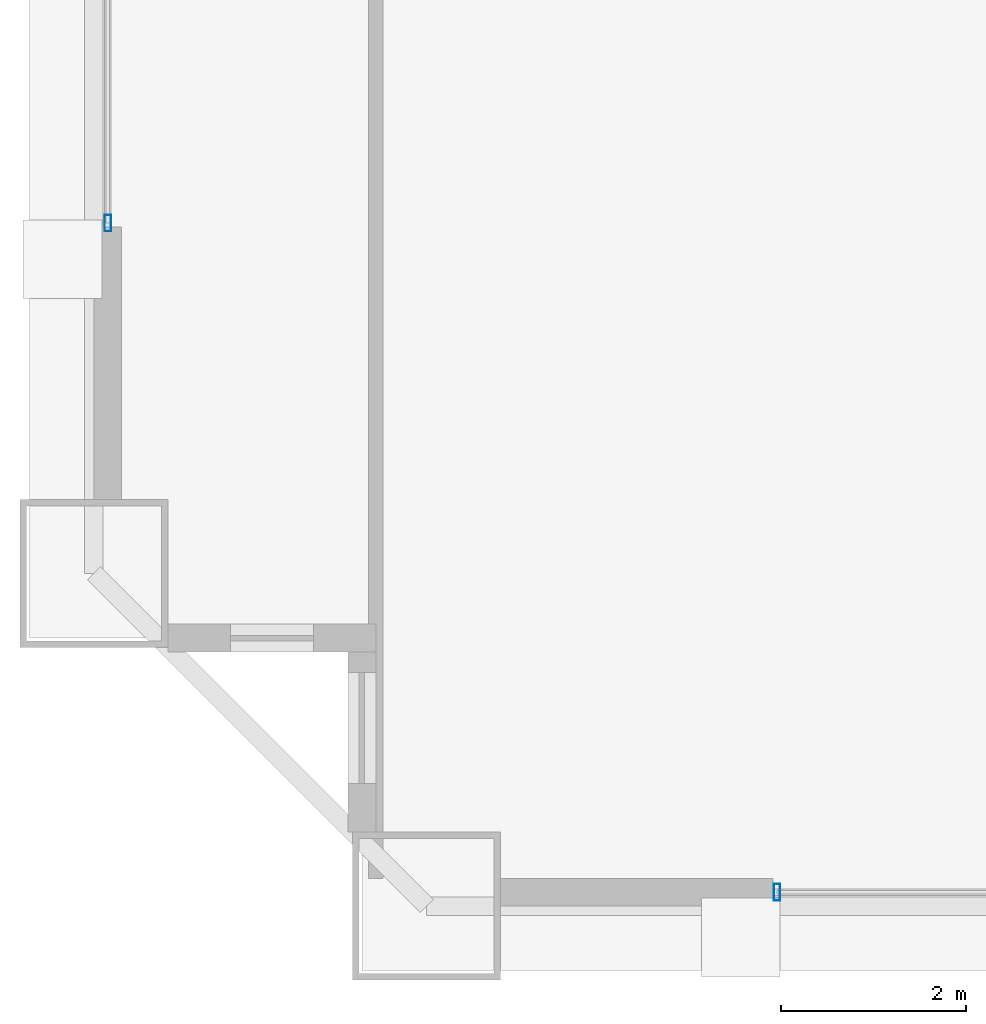
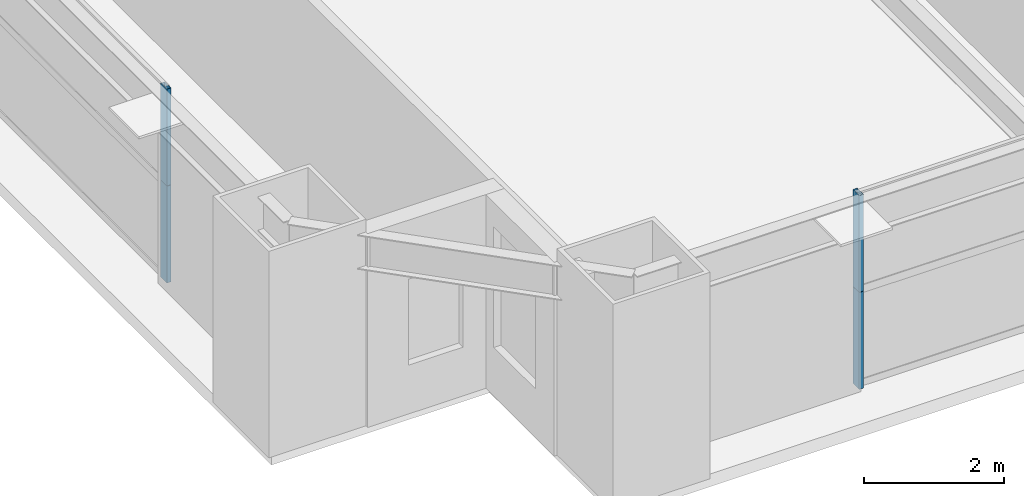
# One storey, part 4 of 39: 4 members, 2 elements without a shape of their own.
"""IFC4 building model written with IfcOpenShell, lengths in metres."""

from ifc_helpers import new_model, si_unit, direction, frame, origin, origin_2d, place, context, subcontext, project, spatial, hollow_rectangle, extrude, source, transform, mapped, material, layer, layer_set, material_profile, profile_set, type_object, element, aggregate, save


model = new_model("IFC4")

# Units and contexts
model_context = context("Model", 3, precision=1e-05, world=origin(), true_north=direction((0.0, 1.0)))
body_context = subcontext(model_context, "Body", "Model", "MODEL_VIEW")
ifc_project = project(units=[si_unit("LENGTHUNIT", "METRE"), si_unit("AREAUNIT", "SQUARE_METRE"), si_unit("VOLUMEUNIT", "CUBIC_METRE"), si_unit("PLANEANGLEUNIT", "RADIAN"), si_unit("MASSUNIT", "GRAM", prefix="KILO"), si_unit("THERMODYNAMICTEMPERATUREUNIT", "KELVIN"), si_unit("POWERUNIT", "WATT")], contexts=[model_context])

# Site, building, storey
site_placement = place(None, origin())
site = spatial("IfcSite", under=ifc_project, at=site_placement, CompositionType="ELEMENT")
building_placement = place(site_placement, origin())
building = spatial("IfcBuilding", under=site, at=building_placement, Name="Yuzanri Waterfront Tower", CompositionType="ELEMENT")
storey_placement = place(building_placement, frame((0.0, 0.0, 141.60009765625)))
storey = spatial("IfcBuildingStorey", under=building, at=storey_placement, Name="L37", CompositionType="ELEMENT", Elevation=141.60009765625)

# Curtain wall, members
ifc_material_1 = material(Name="Anodized Architectural Bronze", Category="metal")
ifc_layer = layer(ifc_material_1, 0.159912109375)
ifc_layer_set = layer_set([ifc_layer], Name="Anodized Architectural Bronze")
curtain_wall_type = type_object("IfcCurtainWallType", Name="Anodized Bronze Hotel Upper-Tier Solar-Control Unitized Curtain Wall 7800", PredefinedType="NOTDEFINED", material=ifc_layer_set)
curtain_wall_1_placement = place(storey_placement, origin())
curtain_wall_1 = element("IfcCurtainWall", 1, at=curtain_wall_1_placement, inside=storey, type_object=curtain_wall_type, Name="L37 Curtain Wall CW-L37-SL", PredefinedType="NOTDEFINED")
ifc_material_2 = material(Name="Anodized Architectural Bronze", Category="metal")
ifc_material_profile = material_profile(ifc_material_2, hollow_rectangle(XDim=0.070068359375, YDim=0.179931640625, WallThickness=0.00390625, at=origin_2d()), Name="CWM 70x180")
ifc_profile_set = profile_set([ifc_material_profile], Name="Anodized Architectural Bronze")
member_type = type_object("IfcMemberType", Name="Anodized Bronze Standard Curtain-Wall Mullion 70x180", PredefinedType="MULLION", material=ifc_profile_set)
shared_shape = source(origin(), body_context, "Body", "SweptSolid", [
    extrude(hollow_rectangle(XDim=0.070068359375, YDim=0.179931640625, WallThickness=0.00390625, at=origin_2d()), origin(), (0.0, 0.0, 1.0), 1.68798828125),
])
member_1_placement = place(storey_placement, frame((20.7900390625, 2.35009765625, 0.0), z_axis=(0.0, 0.0, 1.0), x_axis=(1.0, 0.0, 0.0)))
member_1 = element("IfcMember", 2, at=member_1_placement, type_object=member_type, Name="CW-L37-SL Lower Mullion 00", PredefinedType="MULLION", context=body_context, shape_type="MappedRepresentation", body=[
    mapped(shared_shape, transform((0.0, 0.0, 0.0), scale=1.0)),
])
member_2_placement = place(storey_placement, frame((20.7900390625, 2.35009765625, 1.69189453125), z_axis=(0.0, 0.0, 1.0), x_axis=(1.0, 0.0, 0.0)))
member_2 = element("IfcMember", 3, at=member_2_placement, type_object=member_type, Name="CW-L37-SL Upper Mullion 00", PredefinedType="MULLION", context=body_context, shape_type="MappedRepresentation", body=[
    mapped(shared_shape, transform((0.0, 0.0, 0.0), scale=1.0)),
])
aggregate(curtain_wall_1, [member_1, member_2])

curtain_wall_2_placement = place(storey_placement, origin())
curtain_wall_2 = element("IfcCurtainWall", 4, at=curtain_wall_2_placement, inside=storey, type_object=curtain_wall_type, Name="L37 Curtain Wall CW-L37-WL", PredefinedType="NOTDEFINED")
member_3_placement = place(storey_placement, frame((13.550048828125, 9.590087890625, 0.0), z_axis=(0.0, 0.0, 1.0), x_axis=(1.0, 0.0, 0.0)))
member_3 = element("IfcMember", 5, at=member_3_placement, type_object=member_type, Name="CW-L37-WL Lower Mullion 00", PredefinedType="MULLION", context=body_context, shape_type="MappedRepresentation", body=[
    mapped(shared_shape, transform((0.0, 0.0, 0.0), scale=1.0)),
])
member_4_placement = place(storey_placement, frame((13.550048828125, 9.590087890625, 1.69189453125), z_axis=(0.0, 0.0, 1.0), x_axis=(1.0, 0.0, 0.0)))
member_4 = element("IfcMember", 6, at=member_4_placement, type_object=member_type, Name="CW-L37-WL Upper Mullion 00", PredefinedType="MULLION", context=body_context, shape_type="MappedRepresentation", body=[
    mapped(shared_shape, transform((0.0, 0.0, 0.0), scale=1.0)),
])
aggregate(curtain_wall_2, [member_3, member_4])

save(model, "model.ifc")
